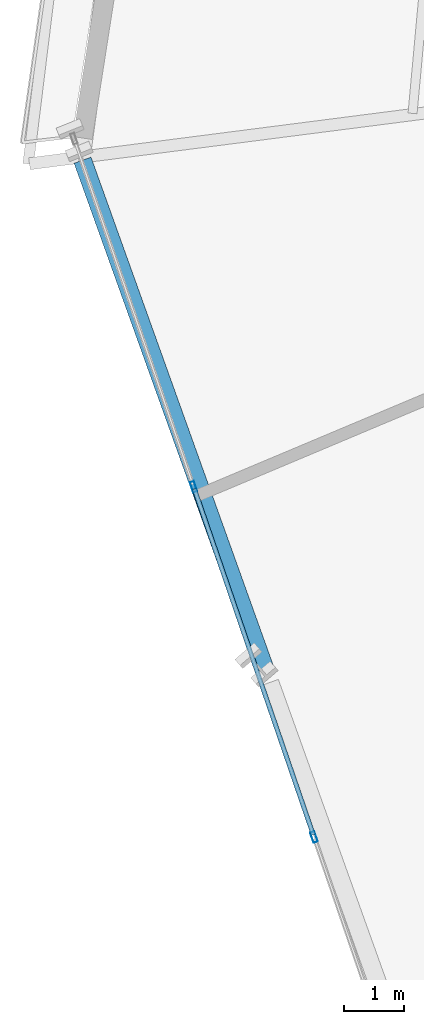
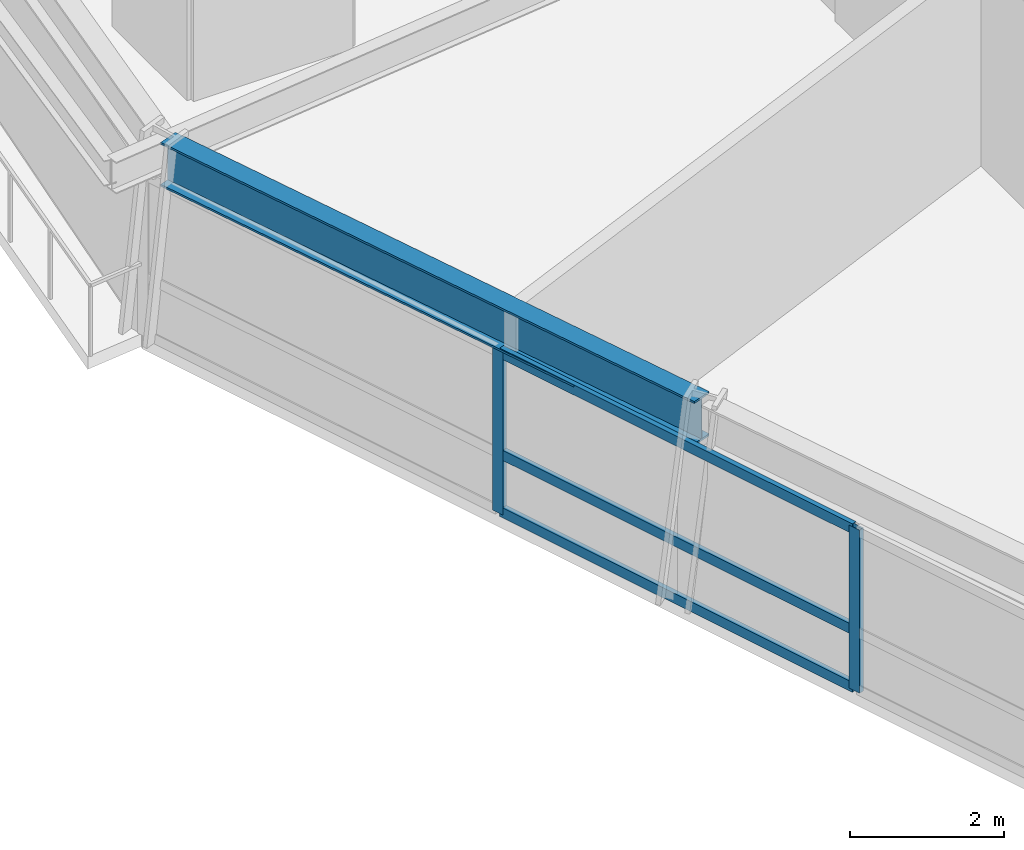
# One storey, part 4 of 22: 5 members, 1 beam, 1 element without a shape of its own.
"""IFC4 building model written with IfcOpenShell, lengths in metres."""

from ifc_helpers import new_model, si_unit, direction, frame, origin, origin_2d, place, context, subcontext, project, spatial, hollow_rectangle, i_section, extrude, source, transform, mapped, material, material_profile, profile_set, type_object, element, aggregate, save


model = new_model("IFC4")

# Units and contexts
model_context = context("Model", 3, precision=1e-05, world=origin(), true_north=direction((0.0, 1.0)))
body_context = subcontext(model_context, "Body", "Model", "MODEL_VIEW")
ifc_project = project(units=[si_unit("LENGTHUNIT", "METRE"), si_unit("AREAUNIT", "SQUARE_METRE"), si_unit("VOLUMEUNIT", "CUBIC_METRE"), si_unit("PLANEANGLEUNIT", "RADIAN"), si_unit("MASSUNIT", "GRAM", prefix="KILO")], contexts=[model_context])

# Site, building, storey
site_placement = place(None, origin())
site = spatial("IfcSite", under=ifc_project, at=site_placement, CompositionType="ELEMENT")
building_placement = place(site_placement, origin())
building = spatial("IfcBuilding", under=site, at=building_placement, Name="Olszyna Solenne Hotel", CompositionType="ELEMENT")
storey_placement = place(building_placement, frame((0.0, 0.0, 61.25)))
storey = spatial("IfcBuildingStorey", under=building, at=storey_placement, Name="L15", CompositionType="ELEMENT", Elevation=61.25)

# Beam
ifc_material_1 = material(Name="Steel S355J2", Category="steel")
ifc_material_profile_1 = material_profile(ifc_material_1, i_section(OverallWidth=0.300048828125, OverallDepth=0.699951171875, WebThickness=0.01708984375, FlangeThickness=0.031982421875, at=origin_2d()), Name="HEB 700", Category="load-bearing")
ifc_profile_set_1 = profile_set([ifc_material_profile_1], Name="Steel S355J2")
beam_type = type_object("IfcBeamType", Name="BM-S1", PredefinedType="BEAM", material=ifc_profile_set_1)
shared_shape_1 = source(origin(), body_context, "Body", "SweptSolid", [
    extrude(i_section(OverallWidth=0.300048828125, OverallDepth=0.699951171875, WebThickness=0.01708984375, FlangeThickness=0.031982421875, at=origin_2d()), origin(), (0.0, 0.0, 1.0), 9.108154296875),
])
beam_placement = place(storey_placement, frame((16.003173828125, 23.726806640625, 2.949951171875), z_axis=(0.337577364872, -0.941297786424, 0.0), x_axis=(0.941297786424, 0.337577364872, 0.0)))
element("IfcBeam", 1, at=beam_placement, inside=storey, type_object=beam_type, Name="Perimeter spandrel beam BM-S1 B-L15-0472", PredefinedType="BEAM", context=body_context, shape_type="MappedRepresentation", body=[
    mapped(shared_shape_1, transform((0.0, 0.0, 0.0), x_axis=(1.0, 0.0, 0.0), y_axis=(0.0, 1.0, 0.0), z_axis=(0.0, 0.0, 1.0), scale=1.0)),
])

# Curtain wall, members
ifc_material_2 = material(Name="Anodised bronze aluminium", Category="aluminium")
curtain_wall_type = type_object("IfcCurtainWallType", Name="CW-SYS-2", PredefinedType="NOTDEFINED", material=ifc_material_2)
curtain_wall_placement = place(storey_placement, origin())
curtain_wall = element("IfcCurtainWall", 2, at=curtain_wall_placement, inside=storey, type_object=curtain_wall_type, Name="Unitised curtain wall CW-SYS-2 CW-L15-01", PredefinedType="NOTDEFINED")
ifc_material_profile_2 = material_profile(ifc_material_2, hollow_rectangle(XDim=0.074951171875, YDim=0.179931640625, WallThickness=0.00439453125, at=origin_2d()), Name="MULL 180x75x4.5", Category="load-bearing")
ifc_profile_set_2 = profile_set([ifc_material_profile_2], Name="Anodised bronze aluminium")
member_type_1 = type_object("IfcMemberType", Name="CW-M2", PredefinedType="MULLION", material=ifc_profile_set_2)
shared_shape_2 = source(origin(), body_context, "Body", "SweptSolid", [
    extrude(hollow_rectangle(XDim=0.074951171875, YDim=0.179931640625, WallThickness=0.00439453125, at=origin_2d()), origin(), (0.0, 0.0, 1.0), 2.592041015625),
])
member_1_placement = place(storey_placement, frame((17.850341796875, 18.295166015625, 0.0), z_axis=(0.0, 0.0, 1.0), x_axis=(0.945661432692, 0.325152971259, 0.0)))
member_1 = element("IfcMember", 3, at=member_1_placement, type_object=member_type_1, Name="Curtain-wall mullion CW-M2 CM-L15-01-02", PredefinedType="MULLION", context=body_context, shape_type="MappedRepresentation", body=[
    mapped(shared_shape_2, transform((0.0, 0.0, 0.0), x_axis=(1.0, 0.0, 0.0), y_axis=(0.0, 1.0, 0.0), z_axis=(0.0, 0.0, 1.0), scale=1.0)),
])
member_2_placement = place(storey_placement, frame((19.85302734375, 12.470458984375, 0.0), z_axis=(0.0, 0.0, 1.0), x_axis=(0.945661432692, 0.325152971259, 0.0)))
member_2 = element("IfcMember", 4, at=member_2_placement, type_object=member_type_1, Name="Curtain-wall mullion CW-M2 CM-L15-01-03", PredefinedType="MULLION", context=body_context, shape_type="MappedRepresentation", body=[
    mapped(shared_shape_2, transform((0.0, 0.0, 0.0), x_axis=(1.0, 0.0, 0.0), y_axis=(0.0, 1.0, 0.0), z_axis=(0.0, 0.0, 1.0), scale=1.0)),
])
ifc_material_profile_3 = material_profile(ifc_material_2, hollow_rectangle(XDim=0.074951171875, YDim=0.159912109375, WallThickness=0.00390625, at=origin_2d()), Name="TRAN 160x75x4", Category="load-bearing")
ifc_profile_set_3 = profile_set([ifc_material_profile_3], Name="Anodised bronze aluminium")
member_type_2 = type_object("IfcMemberType", Name="CW-T1", PredefinedType="USERDEFINED", material=ifc_profile_set_3)
shared_shape_3 = source(origin(), body_context, "Body", "SweptSolid", [
    extrude(hollow_rectangle(XDim=0.074951171875, YDim=0.159912109375, WallThickness=0.00390625, at=origin_2d()), origin(), (0.0, 0.0, 1.0), 6.08447265625),
])
member_3_placement = place(storey_placement, frame((17.8623046875, 18.259765625, 0.03759765625), z_axis=(0.325169477867, -0.945655756956, 0.0), x_axis=(0.945655756956, 0.325169477867, 0.0)))
member_3 = element("IfcMember", 5, at=member_3_placement, type_object=member_type_2, Name="Curtain-wall transom CW-T1 CT-L15-01-04", ObjectType="TRANSOM", PredefinedType="USERDEFINED", context=body_context, shape_type="MappedRepresentation", body=[
    mapped(shared_shape_3, transform((0.0, 0.0, 0.0), x_axis=(1.0, 0.0, 0.0), y_axis=(0.0, 1.0, 0.0), z_axis=(0.0, 0.0, 1.0), scale=1.0)),
])
member_4_placement = place(storey_placement, frame((17.8623046875, 18.259765625, 0.949951171875), z_axis=(0.325169477867, -0.945655756956, 0.0), x_axis=(0.945655756956, 0.325169477867, 0.0)))
member_4 = element("IfcMember", 6, at=member_4_placement, type_object=member_type_2, Name="Curtain-wall transom CW-T1 CT-L15-01-05", ObjectType="TRANSOM", PredefinedType="USERDEFINED", context=body_context, shape_type="MappedRepresentation", body=[
    mapped(shared_shape_3, transform((0.0, 0.0, 0.0), x_axis=(1.0, 0.0, 0.0), y_axis=(0.0, 1.0, 0.0), z_axis=(0.0, 0.0, 1.0), scale=1.0)),
])
member_5_placement = place(storey_placement, frame((17.8623046875, 18.259765625, 2.554443359375), z_axis=(0.325169477867, -0.945655756956, 0.0), x_axis=(0.945655756956, 0.325169477867, 0.0)))
member_5 = element("IfcMember", 7, at=member_5_placement, type_object=member_type_2, Name="Curtain-wall transom CW-T1 CT-L15-01-06", ObjectType="TRANSOM", PredefinedType="USERDEFINED", context=body_context, shape_type="MappedRepresentation", body=[
    mapped(shared_shape_3, transform((0.0, 0.0, 0.0), x_axis=(1.0, 0.0, 0.0), y_axis=(0.0, 1.0, 0.0), z_axis=(0.0, 0.0, 1.0), scale=1.0)),
])
aggregate(curtain_wall, [member_1, member_2, member_3, member_4, member_5])

save(model, "model.ifc")
